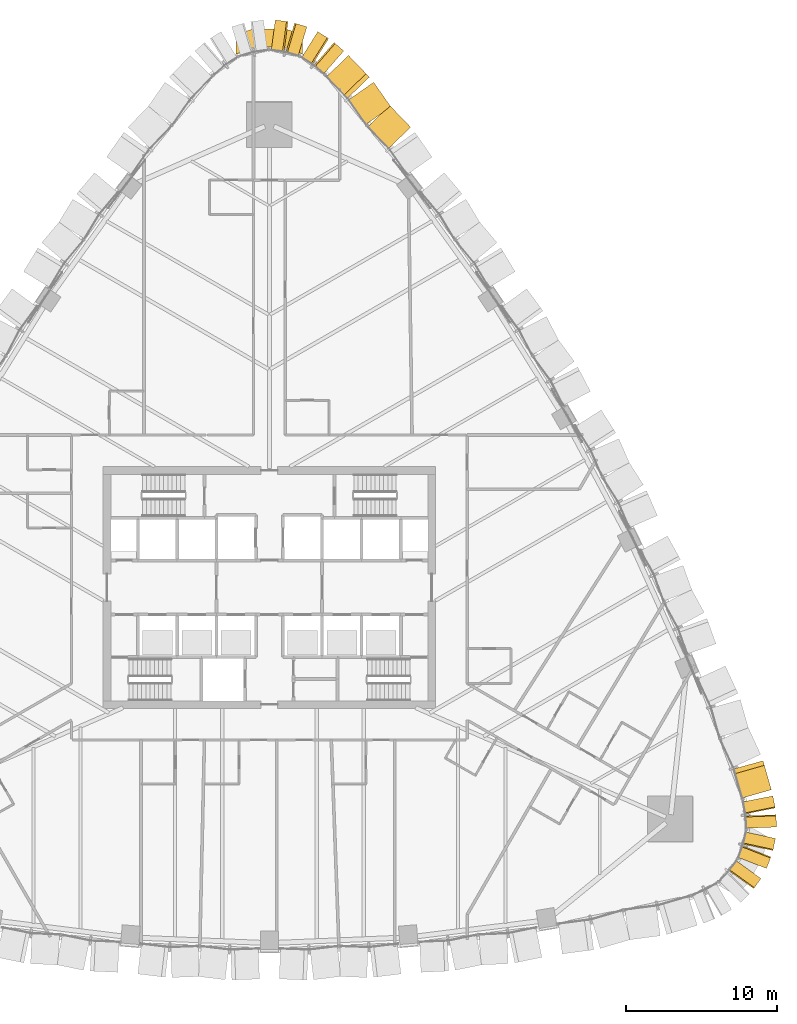
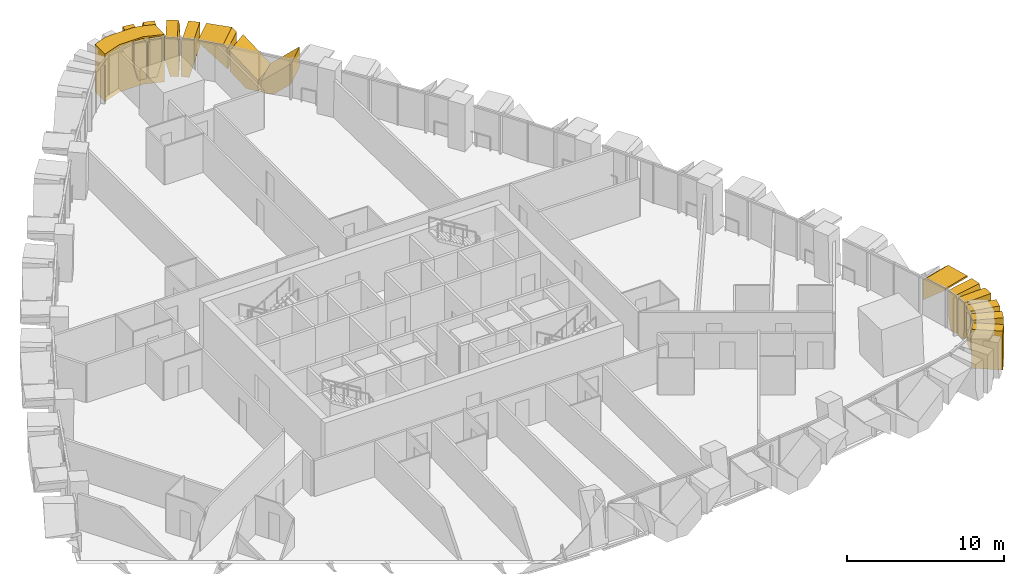
# One storey, part 22 of 23: 14 coverings.
"""IFC4 building model written with IfcOpenShell, lengths in metres."""

from ifc_helpers import new_model, si_unit, direction, frame, origin, place, context, subcontext, project, spatial, polyline, outline, extrude, material, layer, layer_set, type_object, element, save


model = new_model("IFC4")

# Units and contexts
model_context = context("Model", 3, precision=1e-05, world=origin(), true_north=direction((0.0, 1.0)))
body_context = subcontext(model_context, "Body", "Model", "MODEL_VIEW")
ifc_project = project(units=[si_unit("LENGTHUNIT", "METRE"), si_unit("AREAUNIT", "SQUARE_METRE"), si_unit("VOLUMEUNIT", "CUBIC_METRE"), si_unit("PLANEANGLEUNIT", "RADIAN"), si_unit("MASSUNIT", "GRAM", prefix="KILO")], contexts=[model_context])

# Site, building, storey
site_placement = place(None, origin())
site = spatial("IfcSite", under=ifc_project, at=site_placement, CompositionType="ELEMENT")
building_placement = place(site_placement, origin())
building = spatial("IfcBuilding", under=site, at=building_placement, Name="Sierra Prisma Convention Tower", CompositionType="ELEMENT")
storey_placement = place(building_placement, frame((0.0, 0.0, 70.199951171875)))
storey = spatial("IfcBuildingStorey", under=building, at=storey_placement, Name="L13", CompositionType="ELEMENT", Elevation=70.199951171875)

# Coverings
ifc_material_1 = material(Name="Aluminium composite bronze anodised", Category="aluminium")
ifc_layer_1 = layer(ifc_material_1, 1.199951171875)
ifc_layer_set_1 = layer_set([ifc_layer_1], Name="Bronze corner pier")
covering_type_1 = type_object("IfcCoveringType", Name="Bronze corner pier", PredefinedType="CLADDING", material=ifc_layer_set_1)
covering_1_placement = place(storey_placement, frame((0.0, 0.0, -0.599853515625)))
element("IfcCovering", 1, at=covering_1_placement, inside=storey, type_object=covering_type_1, Name="Corner pier N L13.1", PredefinedType="CLADDING", context=body_context, shape_type="SweptSolid", body=[
    extrude(outline(polyline([(-0.87841796875, 36.997314453125), (0.87841796875, 36.997314453125), (1.278076171875, 36.9287109375), (2.199951171875, 36.603271484375), (2.199951171875, 35.33056640625), (0.87841796875, 35.79736328125), (-0.87841796875, 35.79736328125), (-2.199951171875, 35.33056640625), (-2.199951171875, 36.603271484375), (-1.278076171875, 36.9287109375), (-0.87841796875, 36.997314453125)])), origin(), (0.0, 0.0, 1.0), 3.699951171875),
])
ifc_material_2 = material(Name="Aluminium 6063-T6 bronze anodised", Category="aluminium")
ifc_layer_2 = layer(ifc_material_2, 2.0)
ifc_layer_set_2 = layer_set([ifc_layer_2], Name="Bronze crystal chevron frame")
covering_type_2 = type_object("IfcCoveringType", Name="Bronze crystal chevron frame", PredefinedType="CLADDING", material=ifc_layer_set_2)
covering_2_placement = place(storey_placement, frame((32.072265625, -19.9326171875, 0.0), z_axis=(0.810814084903, -0.58530378332, 3.0891417e-05), x_axis=(0.585303783599, 0.81081408529, -8.342e-09)))
element("IfcCovering", 2, at=covering_2_placement, inside=storey, type_object=covering_type_2, Name="CW-2 chevron frame SE2.1.2", PredefinedType="CLADDING", context=body_context, shape_type="SweptSolid", body=[
    extrude(outline(polyline([(0.0, 0.0), (0.5541422473966581, -1.6940658945086007e-21), (0.817177613342576, 1.0329589916772877), (0.8171775970998937, 2.9799804751232863), (0.07467069545648214, 2.9799804680990087), (-2.2413883185693693e-08, 2.686767576843036), (0.0, 0.0)])), origin(), (0.0, 0.0, -1.0), 2.0),
])
covering_3_placement = place(storey_placement, frame((32.914794921875, -18.600830078125, 2.97998046875), z_axis=(0.931706076566, -0.363213142029, 1.8659951e-05), x_axis=(1.738559e-05, -6.77754e-06, -0.999999999826)))
element("IfcCovering", 3, at=covering_3_placement, inside=storey, type_object=covering_type_2, Name="CW-2 chevron frame SE3.1.1", PredefinedType="CLADDING", context=body_context, shape_type="SweptSolid", body=[
    extrude(outline(polyline([(0.0, 0.0), (1.9470214840360296, 0.0), (2.979980470795059, 0.2631378058434704), (2.9799804686539555, 0.8172994223872382), (0.29321289099671305, 0.8172994223872382), (8.61793161663082e-10, 0.7426283065084156), (0.0, 0.0)])), origin(), (0.0, 0.0, -1.0), 2.0),
])
covering_4_placement = place(storey_placement, frame((33.33984375, -17.4150390625, 0.0), z_axis=(0.977062424487, -0.212953089897, -1.261737e-05), x_axis=(0.212953089914, 0.977062424565, -2.272e-09)))
element("IfcCovering", 4, at=covering_4_placement, inside=storey, type_object=covering_type_2, Name="CW-2 chevron frame SE3.1.2", PredefinedType="CLADDING", context=body_context, shape_type="SweptSolid", body=[
    extrude(outline(polyline([(0.0, 0.0), (0.5541945312775325, 4.235164736271502e-22), (0.8173356284779184, 1.0329589863839472), (0.8173356240537588, 2.9799804706039663), (0.07470302442722032, 2.979980468177612), (-6.1050629538099775e-09, 2.6867675779111355), (0.0, 0.0)])), origin(), (0.0, 0.0, -1.0), 2.0),
])
covering_5_placement = place(storey_placement, frame((33.58056640625, -15.857421875, 2.97998046875), z_axis=(0.999245625814, 0.038835282283, -1.1931499e-05), x_axis=(-1.1922498e-05, -4.63363e-07, -0.999999999929)))
element("IfcCovering", 5, at=covering_5_placement, inside=storey, type_object=covering_type_2, Name="CW-2 chevron frame SE4.1.1", PredefinedType="CLADDING", context=body_context, shape_type="SweptSolid", body=[
    extrude(outline(polyline([(0.0, 0.0), (1.9470214842364104, 0.0), (2.9799804690667404, 0.26289535529980035), (2.979980468644928, 0.8170229393690721), (0.29321289071117285, 0.8170229393690721), (-2.0566609131621468e-10, 0.7422584899286034), (0.0, 0.0)])), origin(), (0.0, 0.0, -1.0), 2.0),
])
covering_6_placement = place(storey_placement, frame((33.496826171875, -14.6005859375, 0.0), z_axis=(0.980846185972, 0.194783877682, 2.1437089e-05), x_axis=(-0.194783877727, 0.980846186197, -5.19e-10)))
element("IfcCovering", 6, at=covering_6_placement, inside=storey, type_object=covering_type_2, Name="CW-2 chevron frame SE4.1.2", PredefinedType="CLADDING", context=body_context, shape_type="SweptSolid", body=[
    extrude(outline(polyline([(0.0, 0.0), (0.5540669151441278, -4.235164736271502e-22), (0.8171672644944985, 1.032958984751083), (0.8171672634848572, 2.9799804686787073), (0.07469259819171904, 2.979980470279161), (-1.3932417258752468e-09, 2.6867675775076494), (0.0, 0.0)])), origin(), (0.0, 0.0, -1.0), 2.0),
])
covering_7_placement = place(storey_placement, frame((33.238525390625, -13.388916015625, 2.97998046875), z_axis=(0.961721499372, 0.274028753308, 2.227632e-06), x_axis=(2.142362e-06, 6.10435e-07, -0.999999999998)))
element("IfcCovering", 7, at=covering_7_placement, inside=storey, type_object=covering_type_2, Name="CW-2 chevron frame NE1.1.1", PredefinedType="CLADDING", context=body_context, shape_type="SweptSolid", body=[
    extrude(outline(polyline([(0.0, 0.0), (0.12719726562468442, 0.0), (1.8686523437467448, 2.001923425965777), (0.27832031250069056, 2.001923425965777), (-8.522973991747902e-12, 1.6820637063245878), (0.0, 0.0)])), origin(), (0.0, 0.0, -1.0), 2.0),
])
covering_8_placement = place(storey_placement, frame((9.354736328125, 30.4833984375, 2.58984375), z_axis=(0.719799381196, 0.694182144098, -4.0574633e-05), x_axis=(-2.9205596e-05, -2.8166186e-05, -0.999999999177)))
element("IfcCovering", 8, at=covering_8_placement, inside=storey, type_object=covering_type_2, Name="CW-2 chevron frame NE6.1.2", PredefinedType="CLADDING", context=body_context, shape_type="SweptSolid", body=[
    extrude(outline(polyline([(0.0, 0.0), (1.593017576813707, 5.3973534969085056e-21), (2.5898437535293377, 1.1418100934666733), (2.5898437495092446, 1.9940706361831917), (1.740966797082998, 1.9940706361831917), (0.0, 0.0)])), origin(), (0.0, 0.0, -1.0), 2.0),
])
covering_9_placement = place(storey_placement, frame((8.04931640625, 31.82275390625, 0.0), z_axis=(0.819569808986, 0.572979343398, 1.5425264e-05), x_axis=(-0.572979343466, 0.819569809084, -6.82e-10)))
element("IfcCovering", 9, at=covering_9_placement, inside=storey, type_object=covering_type_2, Name="CW-2 chevron frame NE6.2.1", PredefinedType="CLADDING", context=body_context, shape_type="SweptSolid", body=[
    extrude(outline(polyline([(0.0, 0.0), (0.8522333766406447, 0.0), (1.9940780338482975, 0.9968261733530807), (1.9940780327622367, 2.5898437512885604), (-5.787330756933521e-10, 0.8488769530240096), (0.0, 0.0)])), origin(), (0.0, 0.0, -1.0), 2.0),
])
covering_10_placement = place(storey_placement, frame((5.240478515625, 35.234619140625, 2.97998046875), z_axis=(0.719778715524, 0.694203569569, -6.8374647e-05), x_axis=(0.694203571192, -0.719778717207, 4.8e-09)))
element("IfcCovering", 10, at=covering_10_placement, inside=storey, type_object=covering_type_2, Name="CW-2 chevron frame NE6.2.2", PredefinedType="CLADDING", context=body_context, shape_type="SweptSolid", body=[
    extrude(outline(polyline([(0.0, 0.0), (1.6770612326382972, -1.3552527156068805e-20), (1.9940706351759045, 0.2766113383434388), (1.994070627529174, 1.8696289127446866), (-6.187699071195925e-10, 0.1289062496986757), (0.0, 0.0)])), origin(), (0.0, 0.0, -1.0), 2.0),
])
covering_11_placement = place(storey_placement, frame((4.924560546875, 35.534423828125, 2.97998046875), z_axis=(0.655698311383, 0.755022995933, -7.836621e-06), x_axis=(-5.138459e-06, -5.916829e-06, -0.999999999969)))
element("IfcCovering", 11, at=covering_11_placement, inside=storey, type_object=covering_type_2, Name="CW-2 chevron frame N1.1.1", PredefinedType="CLADDING", context=body_context, shape_type="SweptSolid", body=[
    extrude(outline(polyline([(0.0, 0.0), (1.861083984317853, 0.0), (2.979980468694172, 0.2948960046248974), (2.9799804686853504, 0.8504212457544593), (0.37988281251518985, 0.8504212457544593), (-2.8938559888506705e-10, 0.75021617385164), (0.0, 0.0)])), origin(), (0.0, 0.0, -1.0), 2.0),
])
covering_12_placement = place(storey_placement, frame((3.926025390625, 36.355712890625, 0.0), z_axis=(0.529475725128, 0.848325088924, -1.35635e-06), x_axis=(-0.848325088925, 0.529475725129, -1.11e-10)))
element("IfcCovering", 12, at=covering_12_placement, inside=storey, type_object=covering_type_2, Name="CW-2 chevron frame N1.1.2", PredefinedType="CLADDING", context=body_context, shape_type="SweptSolid", body=[
    extrude(outline(polyline([(0.0, 0.0), (0.5556967762436678, -5.293955920339377e-23), (0.8507157410197207, 1.1188964844779918), (0.8507157408135613, 2.97998046885128), (0.10012533250651537, 2.9799804687017226), (-2.880228611142121e-10, 2.6000976562476086), (0.0, 0.0)])), origin(), (0.0, 0.0, -1.0), 2.0),
])
covering_13_placement = place(storey_placement, frame((2.485595703125, 37.130859375, 2.97998046875), z_axis=(0.286754954189, 0.958003963742, 4.1275344e-05), x_axis=(1.1835909e-05, 3.9541943e-05, -0.999999999148)))
element("IfcCovering", 13, at=covering_13_placement, inside=storey, type_object=covering_type_2, Name="CW-2 chevron frame N2.1.1", PredefinedType="CLADDING", context=body_context, shape_type="SweptSolid", body=[
    extrude(outline(polyline([(0.0, 0.0), (1.8610839827896786, 3.152798904745865e-21), (2.9799804727806944, 0.2949010146927304), (2.9799804676694874, 0.850421735646329), (0.3798828136343205, 0.850421735646329), (-2.066720505913223e-09, 0.7502428678010553), (0.0, 0.0)])), origin(), (0.0, 0.0, -1.0), 2.0),
])
covering_14_placement = place(storey_placement, frame((0.686767578125, 37.542236328125, 0.0), z_axis=(0.133475891048, 0.991052060425, 6.047414e-06), x_axis=(-0.252748235434, 0.034034487023, 0.966933287863)))
element("IfcCovering", 14, at=covering_14_placement, inside=storey, type_object=covering_type_2, Name="CW-2 chevron frame N2.1.2", PredefinedType="CLADDING", context=body_context, shape_type="SweptSolid", body=[
    extrude(outline(polyline([(0.0, 0.0), (1.1571599601411178, 0.0), (2.9567040161426297, 0.47463121186883994), (2.765340426100956, 1.200178124364551), (2.3724476955044818, 1.200249675152473), (-0.14167328001907833, 0.537148218192858), (0.0, 0.0)])), origin(), (0.0, 0.0, -1.0), 2.0),
])

save(model, "model.ifc")
